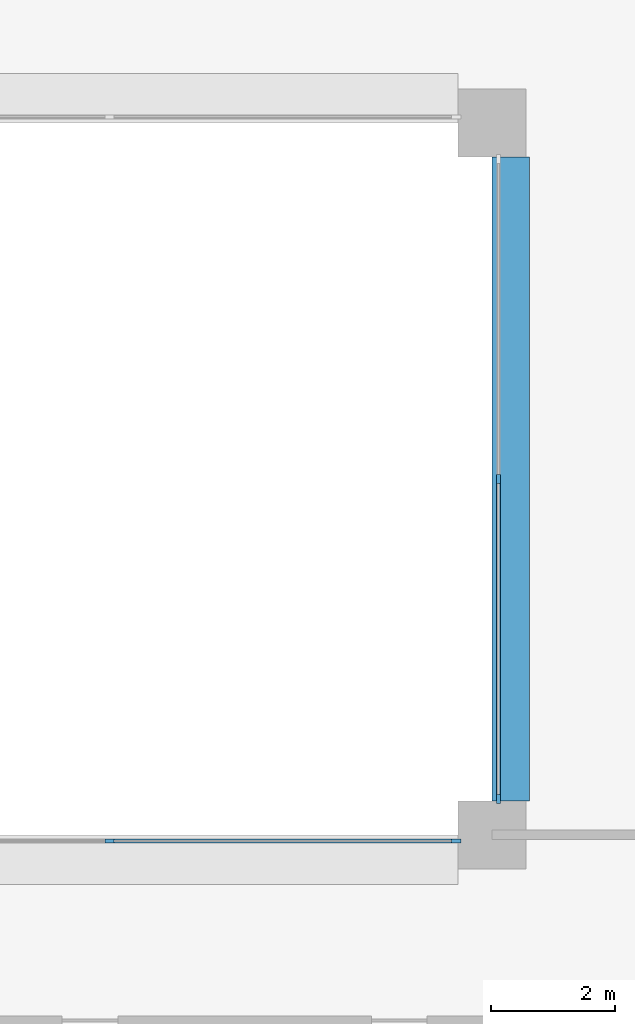
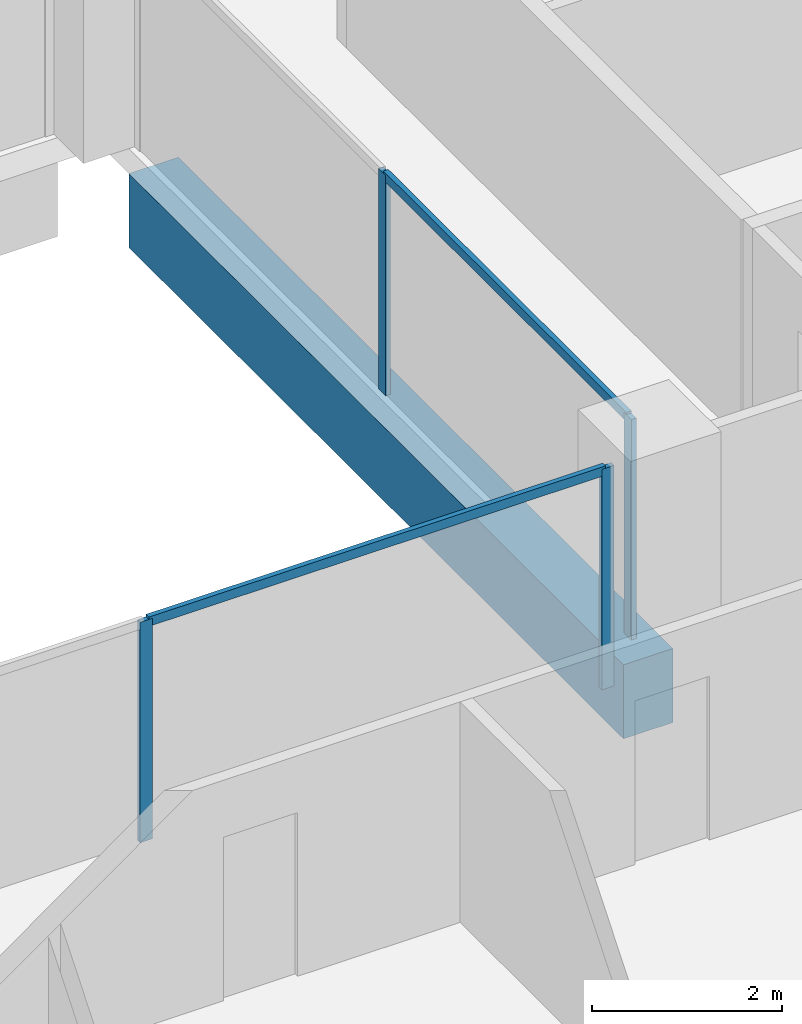
# One storey, part 4 of 16: 6 members, 1 beam, 2 elements without a shape of their own.
"""IFC4 building model written with IfcOpenShell, lengths in metres."""

from ifc_helpers import new_model, si_unit, direction, frame, origin, origin_2d, place, context, subcontext, project, spatial, rectangle, extrude, material, layer, layer_set, material_profile, profile_set, type_object, element, aggregate, save


model = new_model("IFC4")

# Units and contexts
model_context = context("Model", 3, precision=1e-05, world=origin(), true_north=direction((0.0, 1.0)))
body_context = subcontext(model_context, "Body", "Model", "MODEL_VIEW")
ifc_project = project(units=[si_unit("LENGTHUNIT", "METRE"), si_unit("AREAUNIT", "SQUARE_METRE"), si_unit("VOLUMEUNIT", "CUBIC_METRE"), si_unit("PLANEANGLEUNIT", "RADIAN"), si_unit("MASSUNIT", "GRAM", prefix="KILO")], contexts=[model_context])

# Site, building, storey
site_placement = place(None, origin())
site = spatial("IfcSite", under=ifc_project, at=site_placement, CompositionType="ELEMENT")
building_placement = place(site_placement, origin())
building = spatial("IfcBuilding", under=site, at=building_placement, Name="Brigalow Station Residences", CompositionType="ELEMENT")
storey_placement = place(building_placement, frame((0.0, 0.0, 169.64990234375)))
storey = spatial("IfcBuildingStorey", under=building, at=storey_placement, Name="L49", CompositionType="ELEMENT", Elevation=169.64990234375)

# Beam
ifc_material_1 = material(Name="Concrete C65", Category="concrete")
ifc_material_profile_1 = material_profile(ifc_material_1, rectangle(XDim=0.60009765625, YDim=0.949951171875, at=origin_2d()), Name="RC600x950")
ifc_profile_set_1 = profile_set([ifc_material_profile_1], Name="Concrete C65")
beam_type = type_object("IfcBeamType", Name="ATRIUM EDGE GIRDER 600x950 C65", PredefinedType="BEAM", material=ifc_profile_set_1)
beam_placement = place(storey_placement, frame((45.300048828125, 24.550048828125, -0.794921875), z_axis=(0.0, 1.0, 0.0), x_axis=(-1.0, 0.0, 0.0)))
element("IfcBeam", 1, at=beam_placement, inside=storey, type_object=beam_type, Name="ATRIUM EDGE GIRDER 5 L49", PredefinedType="BEAM", context=body_context, shape_type="SweptSolid", body=[
    extrude(rectangle(XDim=0.60009765625, YDim=0.949951171875, at=origin_2d()), origin(), (0.0, 0.0, 1.0), 10.39990234375),
])

# Curtain wall, members
ifc_material_2 = material(Name="Aluminium", Category="aluminium")
ifc_layer = layer(ifc_material_2, 0.14990234375)
ifc_layer_set = layer_set([ifc_layer], Name="ATRIUM FIRE-RATED GLAZING CURTAIN WALL")
curtain_wall_type = type_object("IfcCurtainWallType", Name="ATRIUM FIRE-RATED GLAZING CURTAIN WALL", PredefinedType="NOTDEFINED", material=ifc_layer_set)
curtain_wall_1_placement = place(storey_placement, origin())
curtain_wall_1 = element("IfcCurtainWall", 2, at=curtain_wall_1_placement, inside=storey, type_object=curtain_wall_type, Name="L49/cw/atrium-S", PredefinedType="NOTDEFINED")
ifc_material_3 = material(Name="Aluminium", Category="aluminium")
ifc_material_profile_2 = material_profile(ifc_material_3, rectangle(XDim=0.06005859375, YDim=0.14990234375, at=origin_2d()), Name="ATRIUM FIRE-RATED GLAZING MULLION 60x150")
ifc_profile_set_2 = profile_set([ifc_material_profile_2], Name="Aluminium")
member_type_1 = type_object("IfcMemberType", Name="ATRIUM FIRE-RATED GLAZING MULLION 60x150", PredefinedType="MULLION", material=ifc_profile_set_2)
member_1_placement = place(storey_placement, frame((38.816650390625, 23.89990234375, 0.0), z_axis=(0.0, 0.0, 1.0), x_axis=(0.0, 1.0, 0.0)))
member_1 = element("IfcMember", 3, at=member_1_placement, type_object=member_type_1, Name="L49/cw/atrium-S/M02", PredefinedType="MULLION", context=body_context, shape_type="SweptSolid", body=[
    extrude(rectangle(XDim=0.06005859375, YDim=0.14990234375, at=origin_2d()), origin(), (0.0, 0.0, 1.0), 2.830078125),
])
member_2_placement = place(storey_placement, frame((44.419921875, 23.89990234375, 0.0), z_axis=(0.0, 0.0, 1.0), x_axis=(0.0, 1.0, 0.0)))
member_2 = element("IfcMember", 4, at=member_2_placement, type_object=member_type_1, Name="L49/cw/atrium-S/M03", PredefinedType="MULLION", context=body_context, shape_type="SweptSolid", body=[
    extrude(rectangle(XDim=0.06005859375, YDim=0.14990234375, at=origin_2d()), origin(), (0.0, 0.0, 1.0), 2.830078125),
])

curtain_wall_2_placement = place(storey_placement, origin())
curtain_wall_2 = element("IfcCurtainWall", 5, at=curtain_wall_2_placement, inside=storey, type_object=curtain_wall_type, Name="L49/cw/atrium-E", PredefinedType="NOTDEFINED")
member_3_placement = place(storey_placement, frame((45.10009765625, 24.580078125, 0.0), z_axis=(0.0, 0.0, 1.0), x_axis=(-1.0, 0.0, 0.0)))
member_3 = element("IfcMember", 6, at=member_3_placement, type_object=member_type_1, Name="L49/cw/atrium-E/M00", PredefinedType="MULLION", context=body_context, shape_type="SweptSolid", body=[
    extrude(rectangle(XDim=0.06005859375, YDim=0.14990234375, at=origin_2d()), origin(), (0.0, 0.0, 1.0), 2.830078125),
])
member_4_placement = place(storey_placement, frame((45.10009765625, 29.75, 0.0), z_axis=(0.0, 0.0, 1.0), x_axis=(-1.0, 0.0, 0.0)))
member_4 = element("IfcMember", 7, at=member_4_placement, type_object=member_type_1, Name="L49/cw/atrium-E/M01", PredefinedType="MULLION", context=body_context, shape_type="SweptSolid", body=[
    extrude(rectangle(XDim=0.06005859375, YDim=0.14990234375, at=origin_2d()), origin(), (0.0, 0.0, 1.0), 2.830078125),
])

# Member
ifc_material_4 = material(Name="Aluminium", Category="aluminium")
ifc_material_profile_3 = material_profile(ifc_material_4, rectangle(XDim=0.06005859375, YDim=0.1201171875, at=origin_2d()), Name="ATRIUM FIRE-RATED GLAZING TRANSOM 60x120")
ifc_profile_set_3 = profile_set([ifc_material_profile_3], Name="Aluminium")
member_type_2 = type_object("IfcMemberType", Name="ATRIUM FIRE-RATED GLAZING TRANSOM 60x120", PredefinedType="USERDEFINED", material=ifc_profile_set_3)
member_5_placement = place(storey_placement, frame((38.8466796875, 23.89990234375, 2.800048828125), z_axis=(1.0, 0.0, 0.0), x_axis=(0.0, 1.0, 0.0)))
member_5 = element("IfcMember", 8, at=member_5_placement, type_object=member_type_2, Name="L49/cw/atrium-S/T02-00", ObjectType="TRANSOM", PredefinedType="USERDEFINED", context=body_context, shape_type="SweptSolid", body=[
    extrude(rectangle(XDim=0.06005859375, YDim=0.1201171875, at=origin_2d()), origin(), (0.0, 0.0, 1.0), 5.543212890625),
])

aggregate(curtain_wall_1, [member_1, member_2, member_5])

member_6_placement = place(storey_placement, frame((45.10009765625, 24.610107421875, 2.800048828125), z_axis=(0.0, 1.0, 0.0), x_axis=(-1.0, 0.0, 0.0)))
member_6 = element("IfcMember", 9, at=member_6_placement, type_object=member_type_2, Name="L49/cw/atrium-E/T00-00", ObjectType="TRANSOM", PredefinedType="USERDEFINED", context=body_context, shape_type="SweptSolid", body=[
    extrude(rectangle(XDim=0.06005859375, YDim=0.1201171875, at=origin_2d()), origin(), (0.0, 0.0, 1.0), 5.10986328125),
])

aggregate(curtain_wall_2, [member_3, member_4, member_6])

save(model, "model.ifc")
